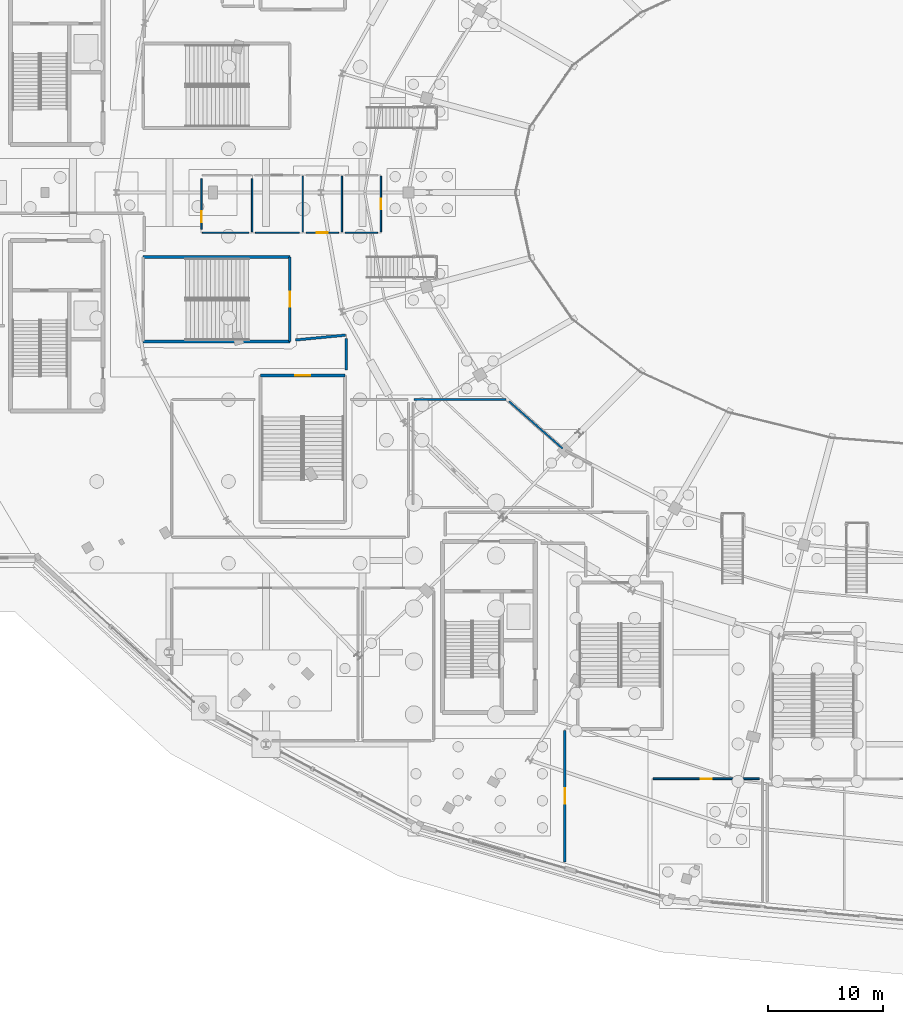
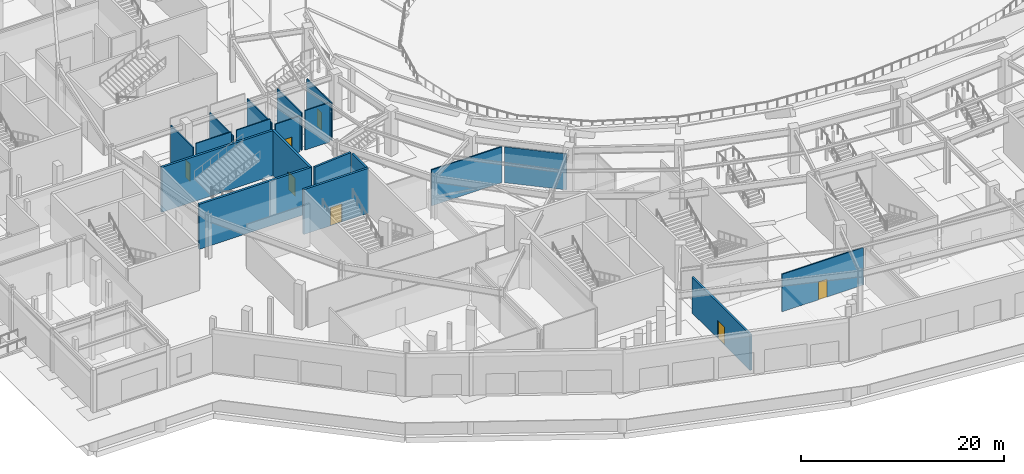
# One storey, part 53 of 93: 19 walls, 7 doors, 7 openings.
"""IFC4 building model written with IfcOpenShell, lengths in metres."""

from ifc_helpers import new_model, si_unit, direction, frame, frame_2d, origin, place, context, subcontext, project, spatial, rectangle, extrude, material, layer, layer_set, type_object, element, fill, save


model = new_model("IFC4")

# Units and contexts
model_context = context("Model", 3, precision=1e-05, world=origin(), true_north=direction((0.0, 1.0)))
body_context = subcontext(model_context, "Body", "Model", "MODEL_VIEW")
ifc_project = project(units=[si_unit("LENGTHUNIT", "METRE"), si_unit("AREAUNIT", "SQUARE_METRE"), si_unit("VOLUMEUNIT", "CUBIC_METRE"), si_unit("PLANEANGLEUNIT", "RADIAN"), si_unit("MASSUNIT", "GRAM", prefix="KILO")], contexts=[model_context])

# Site, building, storey
site_placement = place(None, origin())
site = spatial("IfcSite", under=ifc_project, at=site_placement, CompositionType="ELEMENT")
building_placement = place(site_placement, origin())
building = spatial("IfcBuilding", under=site, at=building_placement, Name="Kalgoora Escarpment Arena", CompositionType="ELEMENT")
storey_placement = place(building_placement, origin())
storey = spatial("IfcBuildingStorey", under=building, at=storey_placement, Name="L00", CompositionType="ELEMENT", Elevation=0.0)

# Walls
ifc_material_1 = material(Name="Autoclaved aerated blockwork Concrete N40 (fc' 40 MPa)", Category="masonry")
ifc_layer_1 = layer(ifc_material_1, 0.219970703125)
ifc_layer_set_1 = layer_set([ifc_layer_1], Name="WAL-FIRE-220")
wall_type_1 = type_object("IfcWallType", Name="WAL-FIRE-220", PredefinedType="SOLIDWALL", material=ifc_layer_set_1)
wall_1_placement = place(storey_placement, frame((36.174560546875, 51.170654296875, 0.0), z_axis=(0.0, 0.0, 1.0), x_axis=(0.995326812107, 0.096563642745, 0.0)))
element("IfcWall", 1, at=wall_1_placement, inside=storey, type_object=wall_type_1, Name="L00 West Protected Exit Passageway partition wall", PredefinedType="SOLIDWALL", context=body_context, shape_type="SweptSolid", body=[
    extrude(rectangle(XDim=4.366455078125, YDim=0.219970703125, at=frame_2d((2.18310546875, 0.0))), origin(), (0.0, 0.0, 1.0), 5.139892578125),
])
wall_2_placement = place(storey_placement, frame((40.60009765625, 51.307373046875, 0.0), z_axis=(0.0, 0.0, 1.0), x_axis=(0.0, -1.0, 0.0)))
element("IfcWall", 2, at=wall_2_placement, inside=storey, type_object=wall_type_1, Name="L00 West Protected Exit Passageway partition wall", PredefinedType="SOLIDWALL", context=body_context, shape_type="SweptSolid", body=[
    extrude(rectangle(XDim=2.75146484375, YDim=0.219970703125, at=frame_2d((1.375732421875, 0.0))), origin(), (0.0, 0.0, 1.0), 5.139892578125),
])

# Wall, opening, door
wall_3_placement = place(storey_placement, frame((59.60009765625, 5.7744140625, 0.0), z_axis=(0.0, 0.0, 1.0), x_axis=(0.0, 1.0, 0.0)))
wall_3 = element("IfcWall", 3, at=wall_3_placement, inside=storey, type_object=wall_type_1, Name="L00 South-West Protected Exit Passageway partition wall", PredefinedType="SOLIDWALL", context=body_context, shape_type="SweptSolid", body=[
    extrude(rectangle(XDim=11.445556640625, YDim=0.219970703125, at=frame_2d((5.72265625, 0.0))), origin(), (0.0, 0.0, 1.0), 4.31494140625),
])
opening_1_placement = place(wall_3_placement, frame((5.062744140625, 0.0, 0.0)))
opening_1 = element("IfcOpeningElement", 4, at=opening_1_placement, cuts=wall_3, Name="Opening FD-I040", PredefinedType="OPENING", context=body_context, shape_type="SweptSolid", body=[
    extrude(rectangle(XDim=1.320068359375, YDim=2.199951171875, at=frame_2d((0.66015625, 1.10009765625))), frame((0.0, 0.119873046875, 0.0), z_axis=(0.0, -1.0, 0.0), x_axis=(1.0, 0.0, 0.0)), (0.0, 0.0, 1.0), 0.239990234375),
])
ifc_material_2 = material(Name="Fire-rated steel stair leaf with vision panel", Category="steel")
door_type_1 = type_object("IfcDoorType", Name="DR-STAIR-1320", OperationType="NOTDEFINED", PredefinedType="DOOR", material=ifc_material_2)
door_1_placement = place(opening_1_placement, origin())
door_1 = element("IfcDoor", 5, at=door_1_placement, inside=storey, type_object=door_type_1, Name="South-West Protected Exit Passageway entrance door", OperationType="SINGLE_SWING_LEFT", OverallHeight=2.199951171875, OverallWidth=1.320068359375, PredefinedType="DOOR", context=body_context, shape_type="SweptSolid", body=[
    extrude(rectangle(XDim=1.320068359375, YDim=2.199951171875, at=frame_2d((0.66015625, 1.10009765625))), frame((0.0, 0.02490234375, 0.0), z_axis=(0.0, -1.0, 0.0), x_axis=(1.0, 0.0, 0.0)), (0.0, 0.0, 1.0), 0.050048828125),
])
fill(opening_1, door_1)

ifc_material_3 = material(Name="Insulated steel-stud acoustic partition", Category="steel")
ifc_layer_2 = layer(ifc_material_3, 0.14501953125)
ifc_layer_set_2 = layer_set([ifc_layer_2], Name="WAL-ROOM-145")
wall_type_2 = type_object("IfcWallType", Name="WAL-ROOM-145", PredefinedType="PARTITIONING", material=ifc_layer_set_2)
wall_4_placement = place(storey_placement, frame((67.280029296875, 13.0, 0.0), z_axis=(0.0, 0.0, 1.0), x_axis=(1.0, 0.0, 0.0)))
wall_4 = element("IfcWall", 6, at=wall_4_placement, inside=storey, type_object=wall_type_2, Name="L00 Medical Room partition wall", PredefinedType="PARTITIONING", context=body_context, shape_type="SweptSolid", body=[
    extrude(rectangle(XDim=9.235107421875, YDim=0.14501953125, at=frame_2d((4.61767578125, 0.0))), origin(), (0.0, 0.0, 1.0), 4.5029296875),
])
opening_2_placement = place(wall_4_placement, frame((4.127685546875, 0.0, 0.0)))
opening_2 = element("IfcOpeningElement", 7, at=opening_2_placement, cuts=wall_4, Name="Opening D-I018", PredefinedType="OPENING", context=body_context, shape_type="SweptSolid", body=[
    extrude(rectangle(XDim=0.97998046875, YDim=2.14990234375, at=frame_2d((0.489990234375, 1.074951171875))), frame((0.0, 0.08251953125, 0.0), z_axis=(0.0, -1.0, 0.0), x_axis=(1.0, 0.0, 0.0)), (0.0, 0.0, 1.0), 0.1650390625),
])
ifc_material_4 = material(Name="Solid-core acoustic timber door", Category="wood")
door_type_2 = type_object("IfcDoorType", Name="DR-GEN-0980", OperationType="NOTDEFINED", PredefinedType="DOOR", material=ifc_material_4)
door_2_placement = place(opening_2_placement, origin())
door_2 = element("IfcDoor", 8, at=door_2_placement, inside=storey, type_object=door_type_2, Name="Medical Room entrance door", OperationType="SINGLE_SWING_LEFT", OverallHeight=2.14990234375, OverallWidth=0.97998046875, PredefinedType="DOOR", context=body_context, shape_type="SweptSolid", body=[
    extrude(rectangle(XDim=0.97998046875, YDim=2.14990234375, at=frame_2d((0.489990234375, 1.074951171875))), frame((0.0, 0.02490234375, 0.0), z_axis=(0.0, -1.0, 0.0), x_axis=(1.0, 0.0, 0.0)), (0.0, 0.0, 1.0), 0.050048828125),
])
fill(opening_2, door_2)

# Walls
wall_5_placement = place(storey_placement, frame((46.47998046875, 46.0, 0.0), z_axis=(0.0, 0.0, 1.0), x_axis=(1.0, 0.0, 0.0)))
element("IfcWall", 9, at=wall_5_placement, inside=storey, type_object=wall_type_2, Name="L00 Cold Beverage Cellar partition wall", PredefinedType="PARTITIONING", context=body_context, shape_type="SweptSolid", body=[
    extrude(rectangle(XDim=7.99755859375, YDim=0.14501953125, at=frame_2d((3.998779296875, 0.0))), origin(), (0.0, 0.0, 1.0), 4.31494140625),
])
wall_6_placement = place(storey_placement, frame((54.732421875, 45.845703125, 0.0), z_axis=(0.0, 0.0, 1.0), x_axis=(0.749699794186, -0.661778073524, 0.0)))
element("IfcWall", 10, at=wall_6_placement, inside=storey, type_object=wall_type_2, Name="L00 Cold Beverage Cellar partition wall", PredefinedType="PARTITIONING", context=body_context, shape_type="SweptSolid", body=[
    extrude(rectangle(XDim=6.2451171875, YDim=0.14501953125, at=frame_2d((3.12255859375, 0.0))), origin(), (0.0, 0.0, 1.0), 4.31494140625),
])
ifc_material_5 = material(Name="Concrete N50 (fc' 50 MPa)", Category="concrete")
ifc_layer_3 = layer(ifc_material_5, 0.25)
ifc_layer_set_3 = layer_set([ifc_layer_3], Name="WAL-STAIR-250")
wall_type_3 = type_object("IfcWallType", Name="WAL-STAIR-250", PredefinedType="SHEAR", material=ifc_layer_set_3)
for number, where, z_axis, x_axis, name in (
    (11, (22.925048828125, 51.02490234375, 0.0), (0.0, 0.0, 1.0), (1.0, 0.0, 0.0), "Exit stair ST18 L00 south wall"),
    (12, (22.925048828125, 58.375, 0.0), (0.0, 0.0, 1.0), (1.0, 0.0, 0.0), "Exit stair ST18 L00 north wall"),
):
    element("IfcWall", number, at=place(storey_placement, frame(where, z_axis=z_axis, x_axis=x_axis)), inside=storey, type_object=wall_type_3, Name=name, PredefinedType="SHEAR", context=body_context, shape_type="SweptSolid", body=[
        extrude(rectangle(XDim=12.75, YDim=0.25, at=frame_2d((6.375, 0.0))), origin(), (0.0, 0.0, 1.0), 5.39990234375),
    ])

# Wall, opening, door
wall_7_placement = place(storey_placement, frame((35.675048828125, 51.02490234375, 0.0), z_axis=(0.0, 0.0, 1.0), x_axis=(0.0, 1.0, 0.0)))
wall_7 = element("IfcWall", 13, at=wall_7_placement, inside=storey, type_object=wall_type_3, Name="Exit stair ST18 L00 east wall", PredefinedType="SHEAR", context=body_context, shape_type="SweptSolid", body=[
    extrude(rectangle(XDim=7.35009765625, YDim=0.25, at=frame_2d((3.675048828125, 0.0))), origin(), (0.0, 0.0, 1.0), 5.39990234375),
])
opening_3_placement = place(wall_7_placement, frame((3.014892578125, 0.0, 0.0)))
opening_3 = element("IfcOpeningElement", 14, at=opening_3_placement, cuts=wall_7, Name="Opening FD-ST18", PredefinedType="OPENING", context=body_context, shape_type="SweptSolid", body=[
    extrude(rectangle(XDim=1.320068359375, YDim=2.199951171875, at=frame_2d((0.66015625, 1.10009765625))), frame((0.0, 0.135009765625, 0.0), z_axis=(0.0, -1.0, 0.0), x_axis=(1.0, 0.0, 0.0)), (0.0, 0.0, 1.0), 0.27001953125),
])
door_3_placement = place(opening_3_placement, origin())
door_3 = element("IfcDoor", 15, at=door_3_placement, inside=storey, type_object=door_type_1, Name="Fire-isolated stair ST18 L00 egress door", OperationType="SINGLE_SWING_LEFT", OverallHeight=2.199951171875, OverallWidth=1.320068359375, PredefinedType="DOOR", context=body_context, shape_type="SweptSolid", body=[
    extrude(rectangle(XDim=1.320068359375, YDim=2.199951171875, at=frame_2d((0.66015625, 1.10009765625))), frame((0.0, 0.02490234375, 0.0), z_axis=(0.0, -1.0, 0.0), x_axis=(1.0, 0.0, 0.0)), (0.0, 0.0, 1.0), 0.050048828125),
])
fill(opening_3, door_3)

wall_8_placement = place(storey_placement, frame((33.125, 48.074951171875, 0.0), z_axis=(0.0, 0.0, 1.0), x_axis=(1.0, 0.0, 0.0)))
wall_8 = element("IfcWall", 16, at=wall_8_placement, inside=storey, type_object=wall_type_3, Name="Exit stair ST20 L00 north wall", PredefinedType="SHEAR", context=body_context, shape_type="SweptSolid", body=[
    extrude(rectangle(XDim=7.35009765625, YDim=0.25, at=frame_2d((3.675048828125, 0.0))), origin(), (0.0, 0.0, 1.0), 5.39990234375),
])
opening_4_placement = place(wall_8_placement, frame((3.014892578125, 0.0, 0.0)))
opening_4 = element("IfcOpeningElement", 17, at=opening_4_placement, cuts=wall_8, Name="Opening FD-ST20", PredefinedType="OPENING", context=body_context, shape_type="SweptSolid", body=[
    extrude(rectangle(XDim=1.320068359375, YDim=2.199951171875, at=frame_2d((0.66015625, 1.10009765625))), frame((0.0, 0.135009765625, 0.0), z_axis=(0.0, -1.0, 0.0), x_axis=(1.0, 0.0, 0.0)), (0.0, 0.0, 1.0), 0.27001953125),
])
door_4_placement = place(opening_4_placement, origin())
door_4 = element("IfcDoor", 18, at=door_4_placement, inside=storey, type_object=door_type_1, Name="Fire-isolated stair ST20 L00 egress door", OperationType="SINGLE_SWING_RIGHT", OverallHeight=2.199951171875, OverallWidth=1.320068359375, PredefinedType="DOOR", context=body_context, shape_type="SweptSolid", body=[
    extrude(rectangle(XDim=1.320068359375, YDim=2.199951171875, at=frame_2d((0.66015625, 1.10009765625))), frame((0.0, 0.02490234375, 0.0), z_axis=(0.0, -1.0, 0.0), x_axis=(1.0, 0.0, 0.0)), (0.0, 0.0, 1.0), 0.050048828125),
])
fill(opening_4, door_4)

# Walls
ifc_material_6 = material(Name="Moisture-resistant wet-area partition", Category="gypsum")
ifc_layer_4 = layer(ifc_material_6, 0.125)
ifc_layer_set_4 = layer_set([ifc_layer_4], Name="WAL-WC-125")
wall_type_4 = type_object("IfcWallType", Name="WAL-WC-125", PredefinedType="PARTITIONING", material=ifc_layer_set_4)
wall_9_placement = place(storey_placement, frame((32.39990234375, 65.215087890625, 0.0), z_axis=(0.0, 0.0, 1.0), x_axis=(0.0, -1.0, 0.0)))
element("IfcWall", 19, at=wall_9_placement, inside=storey, type_object=wall_type_4, Name="L00 Male WC 1 partition wall", PredefinedType="PARTITIONING", context=body_context, shape_type="SweptSolid", body=[
    extrude(rectangle(XDim=4.635009765625, YDim=0.125, at=frame_2d((2.3173828125, 0.0))), origin(), (0.0, 0.0, 1.0), 4.492919921875),
])
wall_10_placement = place(storey_placement, frame((32.115234375, 60.5, 0.0), z_axis=(0.0, 0.0, 1.0), x_axis=(-1.0, 0.0, 0.0)))
element("IfcWall", 20, at=wall_10_placement, inside=storey, type_object=wall_type_4, Name="L00 Male WC 1 partition wall", PredefinedType="PARTITIONING", context=body_context, shape_type="SweptSolid", body=[
    extrude(rectangle(XDim=4.03515625, YDim=0.125, at=frame_2d((2.017578125, 0.0))), origin(), (0.0, 0.0, 1.0), 5.139892578125),
])

# Wall, opening, door
wall_11_placement = place(storey_placement, frame((28.0, 60.784912109375, 0.0), z_axis=(0.0, 0.0, 1.0), x_axis=(0.0, 1.0, 0.0)))
wall_11 = element("IfcWall", 21, at=wall_11_placement, inside=storey, type_object=wall_type_4, Name="L00 Male WC 1 partition wall", PredefinedType="PARTITIONING", context=body_context, shape_type="SweptSolid", body=[
    extrude(rectangle(XDim=4.43017578125, YDim=0.125, at=frame_2d((2.215087890625, 0.0))), origin(), (0.0, 0.0, 1.0), 4.492919921875),
])
opening_5_placement = place(wall_11_placement, frame((0.62646484375, 0.0, 0.0)))
opening_5 = element("IfcOpeningElement", 22, at=opening_5_placement, cuts=wall_11, Name="Opening D-I001", PredefinedType="OPENING", context=body_context, shape_type="SweptSolid", body=[
    extrude(rectangle(XDim=0.949951171875, YDim=2.10009765625, at=frame_2d((0.47509765625, 1.050048828125))), frame((0.0, 0.072509765625, 0.0), z_axis=(0.0, -1.0, 0.0), x_axis=(1.0, 0.0, 0.0)), (0.0, 0.0, 1.0), 0.14501953125),
])
ifc_material_7 = material(Name="Moisture-resistant laminate accessible WC door")
door_type_3 = type_object("IfcDoorType", Name="DR-WC-0950", OperationType="NOTDEFINED", PredefinedType="DOOR", material=ifc_material_7)
door_5_placement = place(opening_5_placement, origin())
door_5 = element("IfcDoor", 23, at=door_5_placement, inside=storey, type_object=door_type_3, Name="Male WC 1 entrance door", OperationType="SINGLE_SWING_RIGHT", OverallHeight=2.10009765625, OverallWidth=0.949951171875, PredefinedType="DOOR", context=body_context, shape_type="SweptSolid", body=[
    extrude(rectangle(XDim=0.949951171875, YDim=2.10009765625, at=frame_2d((0.47509765625, 1.050048828125))), frame((0.0, 0.02490234375, 0.0), z_axis=(0.0, -1.0, 0.0), x_axis=(1.0, 0.0, 0.0)), (0.0, 0.0, 1.0), 0.050048828125),
])
fill(opening_5, door_5)

# Walls
wall_12_placement = place(storey_placement, frame((36.800048828125, 65.419921875, 0.0), z_axis=(0.0, 0.0, 1.0), x_axis=(0.0, -1.0, 0.0)))
element("IfcWall", 24, at=wall_12_placement, inside=storey, type_object=wall_type_4, Name="L00 Female WC 1 partition wall", PredefinedType="PARTITIONING", context=body_context, shape_type="SweptSolid", body=[
    extrude(rectangle(XDim=4.83984375, YDim=0.125, at=frame_2d((2.419921875, 0.0))), origin(), (0.0, 0.0, 1.0), 4.492919921875),
])
wall_13_placement = place(storey_placement, frame((36.51513671875, 60.5, 0.0), z_axis=(0.0, 0.0, 1.0), x_axis=(-1.0, 0.0, 0.0)))
element("IfcWall", 25, at=wall_13_placement, inside=storey, type_object=wall_type_4, Name="L00 Female WC 1 partition wall", PredefinedType="PARTITIONING", context=body_context, shape_type="SweptSolid", body=[
    extrude(rectangle(XDim=3.830322265625, YDim=0.125, at=frame_2d((1.9150390625, 0.0))), origin(), (0.0, 0.0, 1.0), 5.139892578125),
])
wall_14_placement = place(storey_placement, frame((40.199951171875, 65.419921875, 0.0), z_axis=(0.0, 0.0, 1.0), x_axis=(0.0, -1.0, 0.0)))
element("IfcWall", 26, at=wall_14_placement, inside=storey, type_object=wall_type_4, Name="L00 Accessible WC 1 partition wall", PredefinedType="PARTITIONING", context=body_context, shape_type="SweptSolid", body=[
    extrude(rectangle(XDim=4.83984375, YDim=0.125, at=frame_2d((2.419921875, 0.0))), origin(), (0.0, 0.0, 1.0), 4.492919921875),
])

# Wall, opening, door
wall_15_placement = place(storey_placement, frame((39.915283203125, 60.5, 0.0), z_axis=(0.0, 0.0, 1.0), x_axis=(-1.0, 0.0, 0.0)))
wall_15 = element("IfcWall", 27, at=wall_15_placement, inside=storey, type_object=wall_type_4, Name="L00 Accessible WC 1 partition wall", PredefinedType="PARTITIONING", context=body_context, shape_type="SweptSolid", body=[
    extrude(rectangle(XDim=2.83056640625, YDim=0.125, at=frame_2d((1.415283203125, 0.0))), origin(), (0.0, 0.0, 1.0), 4.304931640625),
])
opening_6_placement = place(wall_15_placement, frame((0.940185546875, 0.0, 0.0)))
opening_6 = element("IfcOpeningElement", 28, at=opening_6_placement, cuts=wall_15, Name="Opening D-I003", PredefinedType="OPENING", context=body_context, shape_type="SweptSolid", body=[
    extrude(rectangle(XDim=0.949951171875, YDim=2.10009765625, at=frame_2d((0.47509765625, 1.050048828125))), frame((0.0, 0.072509765625, 0.0), z_axis=(0.0, -1.0, 0.0), x_axis=(1.0, 0.0, 0.0)), (0.0, 0.0, 1.0), 0.14501953125),
])
door_6_placement = place(opening_6_placement, origin())
door_6 = element("IfcDoor", 29, at=door_6_placement, inside=storey, type_object=door_type_3, Name="Accessible WC 1 entrance door", OperationType="SINGLE_SWING_RIGHT", OverallHeight=2.10009765625, OverallWidth=0.949951171875, PredefinedType="DOOR", context=body_context, shape_type="SweptSolid", body=[
    extrude(rectangle(XDim=0.949951171875, YDim=2.10009765625, at=frame_2d((0.47509765625, 1.050048828125))), frame((0.0, 0.02490234375, 0.0), z_axis=(0.0, -1.0, 0.0), x_axis=(1.0, 0.0, 0.0)), (0.0, 0.0, 1.0), 0.050048828125),
])
fill(opening_6, door_6)

wall_16_placement = place(storey_placement, frame((43.60009765625, 65.419921875, 0.0), z_axis=(0.0, 0.0, 1.0), x_axis=(0.0, -1.0, 0.0)))
wall_16 = element("IfcWall", 30, at=wall_16_placement, inside=storey, type_object=wall_type_4, Name="L00 Staff WC 1 partition wall", PredefinedType="PARTITIONING", context=body_context, shape_type="SweptSolid", body=[
    extrude(rectangle(XDim=4.83984375, YDim=0.125, at=frame_2d((2.419921875, 0.0))), origin(), (0.0, 0.0, 1.0), 4.492919921875),
])
opening_7_placement = place(wall_16_placement, frame((1.9599609375, 0.0, 0.0)))
opening_7 = element("IfcOpeningElement", 31, at=opening_7_placement, cuts=wall_16, Name="Opening D-I004", PredefinedType="OPENING", context=body_context, shape_type="SweptSolid", body=[
    extrude(rectangle(XDim=0.919921875, YDim=2.10009765625, at=frame_2d((0.4599609375, 1.050048828125))), frame((0.0, 0.072509765625, 0.0), z_axis=(0.0, -1.0, 0.0), x_axis=(1.0, 0.0, 0.0)), (0.0, 0.0, 1.0), 0.14501953125),
])
ifc_material_8 = material(Name="Moisture-resistant laminate WC door")
door_type_4 = type_object("IfcDoorType", Name="DR-WC-0920", OperationType="NOTDEFINED", PredefinedType="DOOR", material=ifc_material_8)
door_7_placement = place(opening_7_placement, origin())
door_7 = element("IfcDoor", 32, at=door_7_placement, inside=storey, type_object=door_type_4, Name="Staff WC 1 entrance door", OperationType="SINGLE_SWING_LEFT", OverallHeight=2.10009765625, OverallWidth=0.919921875, PredefinedType="DOOR", context=body_context, shape_type="SweptSolid", body=[
    extrude(rectangle(XDim=0.919921875, YDim=2.10009765625, at=frame_2d((0.4599609375, 1.050048828125))), frame((0.0, 0.02490234375, 0.0), z_axis=(0.0, -1.0, 0.0), x_axis=(1.0, 0.0, 0.0)), (0.0, 0.0, 1.0), 0.050048828125),
])
fill(opening_7, door_7)

# Wall
wall_17_placement = place(storey_placement, frame((43.315185546875, 60.5, 0.0), z_axis=(0.0, 0.0, 1.0), x_axis=(-1.0, 0.0, 0.0)))
element("IfcWall", 33, at=wall_17_placement, inside=storey, type_object=wall_type_4, Name="L00 Staff WC 1 partition wall", PredefinedType="PARTITIONING", context=body_context, shape_type="SweptSolid", body=[
    extrude(rectangle(XDim=2.830322265625, YDim=0.125, at=frame_2d((1.4150390625, 0.0))), origin(), (0.0, 0.0, 1.0), 4.74609375),
])

save(model, "model.ifc")
